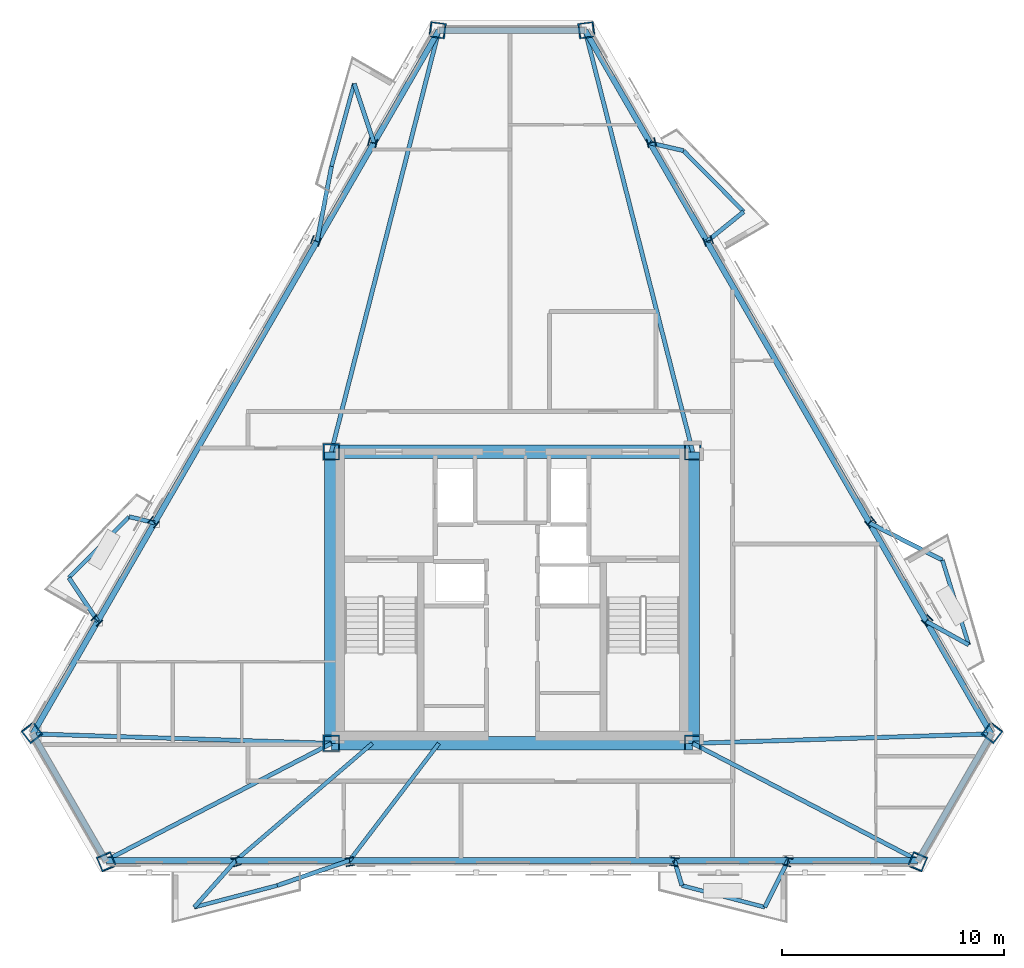
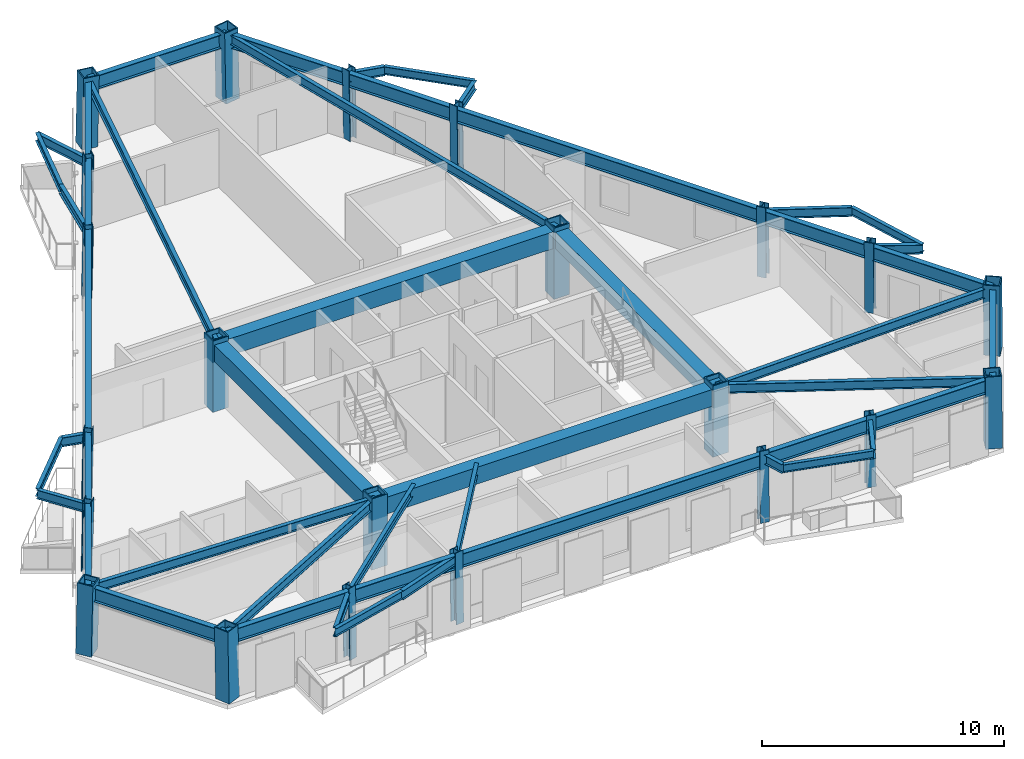
# One storey, part 1 of 8: 48 beams, 22 columns.
"""IFC4 building model written with IfcOpenShell, lengths in metres."""

from ifc_helpers import new_model, si_unit, direction, frame, origin, origin_2d, place, context, subcontext, project, spatial, rectangle, hollow_rectangle, i_section, extrude, material, material_profile, profile_set, type_object, element, save


model = new_model("IFC4")

# Units and contexts
model_context = context("Model", 3, precision=1e-05, world=origin(), true_north=direction((0.0, 1.0)))
body_context = subcontext(model_context, "Body", "Model", "MODEL_VIEW")
ifc_project = project(units=[si_unit("LENGTHUNIT", "METRE"), si_unit("AREAUNIT", "SQUARE_METRE"), si_unit("VOLUMEUNIT", "CUBIC_METRE"), si_unit("PLANEANGLEUNIT", "RADIAN"), si_unit("MASSUNIT", "GRAM", prefix="KILO")], contexts=[model_context])

# Site, building, storey
site_placement = place(None, origin())
site = spatial("IfcSite", under=ifc_project, at=site_placement, CompositionType="ELEMENT")
building_placement = place(site_placement, origin())
building = spatial("IfcBuilding", under=site, at=building_placement, Name="Oramaril Tower", CompositionType="ELEMENT")
storey_placement = place(building_placement, frame((0.0, 0.0, 216.300048828125)))
storey = spatial("IfcBuildingStorey", under=building, at=storey_placement, Name="L57", CompositionType="ELEMENT", Elevation=216.300048828125)

# Columns
ifc_material_1 = material(Name="Steel ASTM A572 Gr 50", Category="steel")
ifc_material_profile_1 = material_profile(ifc_material_1, hollow_rectangle(XDim=0.75, YDim=0.75, WallThickness=0.06005859375, at=origin_2d()), Name="BOX750X750X60")
ifc_profile_set_1 = profile_set([ifc_material_profile_1], Name="Steel ASTM A572 Gr 50")
column_type_1 = type_object("IfcColumnType", Name="CT-CC4", PredefinedType="COLUMN", material=ifc_profile_set_1)
for number, where, z_axis, x_axis, name in (
    (1, (29.35009765625, 11.0, 0.0), (0.0, 0.0, 1.0), (1.0, 0.0, 0.0), "L57 Core Column CC-1"),
    (2, (45.64990234375, 11.0, 0.0), (0.0, 0.0, 1.0), (1.0, 0.0, 0.0), "L57 Core Column CC-2"),
    (3, (45.64990234375, 24.14990234375, 0.0), (0.0, 0.0, 1.0), (1.0, 0.0, 0.0), "L57 Core Column CC-3"),
    (4, (29.35009765625, 24.14990234375, 0.0), (0.0, 0.0, 1.0), (1.0, 0.0, 0.0), "L57 Core Column CC-4"),
):
    element("IfcColumn", number, at=place(storey_placement, frame(where, z_axis=z_axis, x_axis=x_axis)), inside=storey, type_object=column_type_1, Name=name, PredefinedType="COLUMN", context=body_context, shape_type="SweptSolid", body=[
        extrude(hollow_rectangle(XDim=0.75, YDim=0.75, WallThickness=0.06005859375, at=origin_2d()), origin(), (0.0, 0.0, 1.0), 3.599853515625),
    ])
ifc_material_2 = material(Name="Steel ASTM A572 Gr 50", Category="steel")
ifc_material_profile_2 = material_profile(ifc_material_2, hollow_rectangle(XDim=0.699951171875, YDim=0.699951171875, WallThickness=0.054931640625, at=origin_2d()), Name="BOX700X700X55")
ifc_profile_set_2 = profile_set([ifc_material_profile_2], Name="Steel ASTM A572 Gr 50")
column_type_2 = type_object("IfcColumnType", Name="CT-TC4", PredefinedType="COLUMN", material=ifc_profile_set_2)
for number, where, z_axis, x_axis, name in (
    (5, (15.8427734375, 11.485107421875, 0.00439453125), (0.012234941565, -0.015905424035, 0.999798641573), (0.792623989105, 0.60971076085, 0.0), "L57 Tube Column TC-01"),
    (6, (19.210693359375, 5.651611328125, 0.00439453125), (-0.007680831578, 0.018488373355, 0.999799572353), (-0.923478211168, -0.383650874492, 0.0), "L57 Tube Column TC-02"),
    (7, (55.789306640625, 5.651611328125, 0.00439453125), (0.007680831578, 0.018488373355, 0.999799572353), (-0.923478211168, 0.383650874492, 0.0), "L57 Tube Column TC-03"),
    (8, (59.1572265625, 11.485107421875, 0.00439453125), (-0.012234941565, -0.015905424035, 0.999798641573), (0.792623989105, -0.60971076085, 0.0), "L57 Tube Column TC-04"),
    (9, (40.867919921875, 43.1630859375, 0.00439453125), (-0.019847814636, -0.002582934781, 0.999799676286), (0.129048812382, -0.991638242517, 0.0), "L57 Tube Column TC-05"),
    (10, (34.132080078125, 43.1630859375, 0.00439453125), (0.019847814636, -0.002582934781, 0.999799676286), (0.129048812382, 0.991638242517, 0.0), "L57 Tube Column TC-06"),
):
    element("IfcColumn", number, at=place(storey_placement, frame(where, z_axis=z_axis, x_axis=x_axis)), inside=storey, type_object=column_type_2, Name=name, PredefinedType="COLUMN", context=body_context, shape_type="SweptSolid", body=[
        extrude(hollow_rectangle(XDim=0.699951171875, YDim=0.699951171875, WallThickness=0.054931640625, at=origin_2d()), origin(), (0.0, 0.0, 1.0), 3.591796875),
    ])
ifc_material_3 = material(Name="Steel ASTM A572 Gr 50", Category="steel")
ifc_material_profile_3 = material_profile(ifc_material_3, i_section(OverallWidth=0.39892578125, OverallDepth=0.385986328125, WebThickness=0.02099609375, FlangeThickness=0.033203125, at=origin_2d()), Name="W14X176")
ifc_profile_set_3 = profile_set([ifc_material_profile_3], Name="Steel ASTM A572 Gr 50")
column_type_3 = type_object("IfcColumnType", Name="CT-TF4", PredefinedType="COLUMN", material=ifc_profile_set_3)
for number, where, z_axis, x_axis, name in (
    (11, (25.063232421875, 5.651611328125, 0.00439453125), (-0.00516595248, 0.018488672032, 0.999815723992), (-0.963110974003, -0.269104536854, 0.0), "L57 Tube Column TC-07"),
    (12, (30.184326171875, 5.651611328125, 0.00439453125), (-0.003058814159, 0.018488832247, 0.999824387949), (-0.986589285408, -0.163222492071, 0.0), "L57 Tube Column TC-08"),
    (13, (44.815673828125, 5.651611328125, 0.00439453125), (0.003058814159, 0.018488832247, 0.999824387949), (-0.986589285408, 0.163222492071, 0.0), "L57 Tube Column TC-09"),
    (14, (49.936767578125, 5.651611328125, 0.00439453125), (0.00516595248, 0.018488672032, 0.999815723992), (-0.963110974003, 0.269104536854, 0.0), "L57 Tube Column TC-10"),
    (15, (56.23095703125, 16.5537109375, 0.00439453125), (-0.013458645368, -0.01379851015, 0.999814215733), (0.715867927541, -0.698235712577, 0.0), "L57 Tube Column TC-11"),
    (16, (53.67041015625, 20.988525390625, 0.00439453125), (-0.014478387519, -0.011895388806, 0.999824422596), (0.634816777898, -0.772662706813, 0.0), "L57 Tube Column TC-12"),
    (17, (46.354736328125, 33.65966796875, 0.00439453125), (-0.01760515526, -0.006593436526, 0.999823276936), (0.350727164233, -0.936477685943, 0.0), "L57 Tube Column TC-13"),
    (18, (43.794189453125, 38.094482421875, 0.00439453125), (-0.018624614837, -0.004690140233, 0.999815546142), (0.244200745871, -0.969724700993, 0.0), "L57 Tube Column TC-14"),
    (19, (31.205810546875, 38.094482421875, 0.00439453125), (0.018624614837, -0.004690140233, 0.999815546142), (0.244200745871, 0.969724700993, 0.0), "L57 Tube Column TC-15"),
    (20, (28.645263671875, 33.65966796875, 0.00439453125), (0.01760515526, -0.006593436526, 0.999823276936), (0.350727164233, 0.936477685943, 0.0), "L57 Tube Column TC-16"),
    (21, (21.32958984375, 20.988525390625, 0.00439453125), (0.014478387519, -0.011895388806, 0.999824422596), (0.634816777898, 0.772662706813, 0.0), "L57 Tube Column TC-17"),
    (22, (18.76904296875, 16.5537109375, 0.00439453125), (0.013458645368, -0.01379851015, 0.999814215733), (0.715867927541, 0.698235712577, 0.0), "L57 Tube Column TC-18"),
):
    element("IfcColumn", number, at=place(storey_placement, frame(where, z_axis=z_axis, x_axis=x_axis)), inside=storey, type_object=column_type_3, Name=name, PredefinedType="COLUMN", context=body_context, shape_type="SweptSolid", body=[
        extrude(i_section(OverallWidth=0.39892578125, OverallDepth=0.385986328125, WebThickness=0.02099609375, FlangeThickness=0.033203125, at=origin_2d()), origin(), (0.0, 0.0, 1.0), 3.591796875),
    ])

# Beams
ifc_material_4 = material(Name="Steel ASTM A572 Gr 50", Category="steel")
ifc_material_profile_4 = material_profile(ifc_material_4, i_section(OverallWidth=0.19091796875, OverallDepth=0.45703125, WebThickness=0.009033203125, FlangeThickness=0.014404296875, at=origin_2d()), Name="W18X50")
ifc_profile_set_4 = profile_set([ifc_material_profile_4], Name="Steel ASTM A572 Gr 50")
beam_type_1 = type_object("IfcBeamType", Name="BT-BB1", PredefinedType="BEAM", material=ifc_profile_set_4)
beam_1_placement = place(storey_placement, frame((29.35009765625, 11.0, 3.1513671875), z_axis=(-0.999495133197, 0.03177229479, 0.0), x_axis=(-0.03177229479, -0.999495133197, 0.0)))
element("IfcBeam", 23, at=beam_1_placement, inside=storey, type_object=beam_type_1, Name="L57 Radial Primary Beam RB-01", PredefinedType="BEAM", context=body_context, shape_type="SweptSolid", body=[
    extrude(i_section(OverallWidth=0.19091796875, OverallDepth=0.45703125, WebThickness=0.009033203125, FlangeThickness=0.014404296875, at=origin_2d()), origin(), (0.0, 0.0, 1.0), 13.47021484375),
])
for number, where, z_axis, x_axis, name in (
    (24, (29.35009765625, 11.0, 3.1513671875), (-0.887390135498, -0.461019248427, 0.0), (0.461019248427, -0.887390135498, 0.0), "L57 Radial Primary Beam RB-02"),
    (25, (45.64990234375, 11.0, 3.1513671875), (0.887390135498, -0.461019248427, 0.0), (0.461019248427, 0.887390135498, 0.0), "L57 Radial Primary Beam RB-03"),
):
    element("IfcBeam", number, at=place(storey_placement, frame(where, z_axis=z_axis, x_axis=x_axis)), inside=storey, type_object=beam_type_1, Name=name, PredefinedType="BEAM", context=body_context, shape_type="SweptSolid", body=[
        extrude(i_section(OverallWidth=0.19091796875, OverallDepth=0.45703125, WebThickness=0.009033203125, FlangeThickness=0.014404296875, at=origin_2d()), origin(), (0.0, 0.0, 1.0), 11.457275390625),
    ])
beam_2_placement = place(storey_placement, frame((45.64990234375, 11.0, 3.1513671875), z_axis=(0.999495133197, 0.03177229479, 0.0), x_axis=(-0.03177229479, 0.999495133197, 0.0)))
element("IfcBeam", 26, at=beam_2_placement, inside=storey, type_object=beam_type_1, Name="L57 Radial Primary Beam RB-04", PredefinedType="BEAM", context=body_context, shape_type="SweptSolid", body=[
    extrude(i_section(OverallWidth=0.19091796875, OverallDepth=0.45703125, WebThickness=0.009033203125, FlangeThickness=0.014404296875, at=origin_2d()), origin(), (0.0, 0.0, 1.0), 13.47021484375),
])
for number, where, z_axis, x_axis, name in (
    (27, (45.64990234375, 24.14990234375, 3.1513671875), (-0.247441175592, 0.968902918058, 0.0), (-0.968902918058, -0.247441175592, 0.0), "L57 Radial Primary Beam RB-05"),
    (28, (29.35009765625, 24.14990234375, 3.1513671875), (0.247441175592, 0.968902918058, 0.0), (-0.968902918058, 0.247441175592, 0.0), "L57 Radial Primary Beam RB-06"),
):
    element("IfcBeam", number, at=place(storey_placement, frame(where, z_axis=z_axis, x_axis=x_axis)), inside=storey, type_object=beam_type_1, Name=name, PredefinedType="BEAM", context=body_context, shape_type="SweptSolid", body=[
        extrude(i_section(OverallWidth=0.19091796875, OverallDepth=0.45703125, WebThickness=0.009033203125, FlangeThickness=0.014404296875, at=origin_2d()), origin(), (0.0, 0.0, 1.0), 19.61376953125),
    ])
beam_3_placement = place(storey_placement, frame((25.044677734375, 5.718017578125, 3.1513671875), z_axis=(-0.664428308027, -0.747352007753, 0.0), x_axis=(0.747352007753, -0.664428308027, 0.0)))
element("IfcBeam", 29, at=beam_3_placement, inside=storey, type_object=beam_type_1, Name="L57 Balcony Column-Framed Cantilever 01.1", PredefinedType="BEAM", context=body_context, shape_type="SweptSolid", body=[
    extrude(i_section(OverallWidth=0.19091796875, OverallDepth=0.45703125, WebThickness=0.009033203125, FlangeThickness=0.014404296875, at=origin_2d()), origin(), (0.0, 0.0, 1.0), 2.820556640625),
])
beam_4_placement = place(storey_placement, frame((30.17333984375, 5.718017578125, 3.1513671875), z_axis=(-0.944996173463, -0.327081384582, 0.0), x_axis=(0.327081384582, -0.944996173463, 0.0)))
element("IfcBeam", 30, at=beam_4_placement, inside=storey, type_object=beam_type_1, Name="L57 Balcony Column-Framed Cantilever 01.2", PredefinedType="BEAM", context=body_context, shape_type="SweptSolid", body=[
    extrude(i_section(OverallWidth=0.19091796875, OverallDepth=0.45703125, WebThickness=0.009033203125, FlangeThickness=0.014404296875, at=origin_2d()), origin(), (0.0, 0.0, 1.0), 3.448486328125),
])
beam_5_placement = place(storey_placement, frame((44.82666015625, 5.718017578125, 3.1513671875), z_axis=(0.283727901735, -0.958904832492, 0.0), x_axis=(0.958904832492, 0.283727901735, 0.0)))
element("IfcBeam", 31, at=beam_5_placement, inside=storey, type_object=beam_type_1, Name="L57 Balcony Column-Framed Cantilever 02.1", PredefinedType="BEAM", context=body_context, shape_type="SweptSolid", body=[
    extrude(i_section(OverallWidth=0.19091796875, OverallDepth=0.45703125, WebThickness=0.009033203125, FlangeThickness=0.014404296875, at=origin_2d()), origin(), (0.0, 0.0, 1.0), 1.17626953125),
])
beam_6_placement = place(storey_placement, frame((49.955322265625, 5.718017578125, 3.1513671875), z_axis=(-0.446218267562, -0.894924163096, 0.0), x_axis=(0.894924163096, -0.446218267562, 0.0)))
element("IfcBeam", 32, at=beam_6_placement, inside=storey, type_object=beam_type_1, Name="L57 Balcony Column-Framed Cantilever 02.2", PredefinedType="BEAM", context=body_context, shape_type="SweptSolid", body=[
    extrude(i_section(OverallWidth=0.19091796875, OverallDepth=0.45703125, WebThickness=0.009033203125, FlangeThickness=0.014404296875, at=origin_2d()), origin(), (0.0, 0.0, 1.0), 2.35546875),
])
beam_7_placement = place(storey_placement, frame((56.1826171875, 16.504150390625, 3.1513671875), z_axis=(0.875035048274, -0.484059566883, 0.0), x_axis=(0.484059566883, 0.875035048274, 0.0)))
element("IfcBeam", 33, at=beam_7_placement, inside=storey, type_object=beam_type_1, Name="L57 Balcony Column-Framed Cantilever 03.1", PredefinedType="BEAM", context=body_context, shape_type="SweptSolid", body=[
    extrude(i_section(OverallWidth=0.19091796875, OverallDepth=0.45703125, WebThickness=0.009033203125, FlangeThickness=0.014404296875, at=origin_2d()), origin(), (0.0, 0.0, 1.0), 2.1875),
])
beam_8_placement = place(storey_placement, frame((53.618408203125, 20.94580078125, 3.1513671875), z_axis=(0.890204602537, -0.455560935136, 0.0), x_axis=(0.455560935136, 0.890204602537, 0.0)))
element("IfcBeam", 34, at=beam_8_placement, inside=storey, type_object=beam_type_1, Name="L57 Balcony Column-Framed Cantilever 03.2", PredefinedType="BEAM", context=body_context, shape_type="SweptSolid", body=[
    extrude(i_section(OverallWidth=0.19091796875, OverallDepth=0.45703125, WebThickness=0.009033203125, FlangeThickness=0.014404296875, at=origin_2d()), origin(), (0.0, 0.0, 1.0), 3.699951171875),
])
beam_9_placement = place(storey_placement, frame((46.29150390625, 33.635986328125, 3.1513671875), z_axis=(0.777228888249, 0.629217971193, 0.0), x_axis=(-0.629217971193, 0.777228888249, 0.0)))
element("IfcBeam", 35, at=beam_9_placement, inside=storey, type_object=beam_type_1, Name="L57 Balcony Column-Framed Cantilever 04.1", PredefinedType="BEAM", context=body_context, shape_type="SweptSolid", body=[
    extrude(i_section(OverallWidth=0.19091796875, OverallDepth=0.45703125, WebThickness=0.009033203125, FlangeThickness=0.014404296875, at=origin_2d()), origin(), (0.0, 0.0, 1.0), 2.134521484375),
])
beam_10_placement = place(storey_placement, frame((43.727294921875, 38.07763671875, 3.1513671875), z_axis=(0.97446586732, -0.224535684085, 0.0), x_axis=(0.224535684085, 0.97446586732, 0.0)))
element("IfcBeam", 36, at=beam_10_placement, inside=storey, type_object=beam_type_1, Name="L57 Balcony Column-Framed Cantilever 04.2", PredefinedType="BEAM", context=body_context, shape_type="SweptSolid", body=[
    extrude(i_section(OverallWidth=0.19091796875, OverallDepth=0.45703125, WebThickness=0.009033203125, FlangeThickness=0.014404296875, at=origin_2d()), origin(), (0.0, 0.0, 1.0), 1.541748046875),
])
beam_11_placement = place(storey_placement, frame((31.272705078125, 38.07763671875, 3.1513671875), z_axis=(-0.315059037956, 0.949072074503, 0.0), x_axis=(-0.949072074503, -0.315059037956, 0.0)))
element("IfcBeam", 37, at=beam_11_placement, inside=storey, type_object=beam_type_1, Name="L57 Balcony Column-Framed Cantilever 05.1", PredefinedType="BEAM", context=body_context, shape_type="SweptSolid", body=[
    extrude(i_section(OverallWidth=0.19091796875, OverallDepth=0.45703125, WebThickness=0.009033203125, FlangeThickness=0.014404296875, at=origin_2d()), origin(), (0.0, 0.0, 1.0), 2.820556640625),
])
beam_12_placement = place(storey_placement, frame((28.70849609375, 33.635986328125, 3.1513671875), z_axis=(0.189167734369, 0.981944788811, 0.0), x_axis=(-0.981944788811, 0.189167734369, 0.0)))
element("IfcBeam", 38, at=beam_12_placement, inside=storey, type_object=beam_type_1, Name="L57 Balcony Column-Framed Cantilever 05.2", PredefinedType="BEAM", context=body_context, shape_type="SweptSolid", body=[
    extrude(i_section(OverallWidth=0.19091796875, OverallDepth=0.45703125, WebThickness=0.009033203125, FlangeThickness=0.014404296875, at=origin_2d()), origin(), (0.0, 0.0, 1.0), 3.448486328125),
])
beam_13_placement = place(storey_placement, frame((21.381591796875, 20.94580078125, 3.1513671875), z_axis=(-0.97226472398, 0.23388310436, 0.0), x_axis=(-0.23388310436, -0.97226472398, 0.0)))
element("IfcBeam", 39, at=beam_13_placement, inside=storey, type_object=beam_type_1, Name="L57 Balcony Column-Framed Cantilever 06.1", PredefinedType="BEAM", context=body_context, shape_type="SweptSolid", body=[
    extrude(i_section(OverallWidth=0.19091796875, OverallDepth=0.45703125, WebThickness=0.009033203125, FlangeThickness=0.014404296875, at=origin_2d()), origin(), (0.0, 0.0, 1.0), 1.176513671875),
])
beam_14_placement = place(storey_placement, frame((18.8173828125, 16.504150390625, 3.1513671875), z_axis=(-0.55197076739, 0.833863461213, 0.0), x_axis=(-0.833863461213, -0.55197076739, 0.0)))
element("IfcBeam", 40, at=beam_14_placement, inside=storey, type_object=beam_type_1, Name="L57 Balcony Column-Framed Cantilever 06.2", PredefinedType="BEAM", context=body_context, shape_type="SweptSolid", body=[
    extrude(i_section(OverallWidth=0.19091796875, OverallDepth=0.45703125, WebThickness=0.009033203125, FlangeThickness=0.014404296875, at=origin_2d()), origin(), (0.0, 0.0, 1.0), 2.355712890625),
])
ifc_material_5 = material(Name="Concrete C50/60", Category="concrete")
ifc_material_profile_5 = material_profile(ifc_material_5, rectangle(XDim=0.60009765625, YDim=0.85009765625, at=origin_2d()), Name="CB600X850")
ifc_profile_set_5 = profile_set([ifc_material_profile_5], Name="Concrete C50/60")
beam_type_2 = type_object("IfcBeamType", Name="BT-CB2", PredefinedType="BEAM", material=ifc_profile_set_5)
beam_15_placement = place(storey_placement, frame((29.35009765625, 11.0, 2.954833984375), z_axis=(1.0, 0.0, 0.0), x_axis=(0.0, 1.0, 0.0)))
element("IfcBeam", 41, at=beam_15_placement, inside=storey, type_object=beam_type_2, Name="L57 Core Header Beam CB-1", PredefinedType="BEAM", context=body_context, shape_type="SweptSolid", body=[
    extrude(rectangle(XDim=0.60009765625, YDim=0.85009765625, at=origin_2d()), origin(), (0.0, 0.0, 1.0), 16.2998046875),
])
beam_16_placement = place(storey_placement, frame((45.64990234375, 11.0, 2.954833984375), z_axis=(0.0, 1.0, 0.0), x_axis=(-1.0, 0.0, 0.0)))
element("IfcBeam", 42, at=beam_16_placement, inside=storey, type_object=beam_type_2, Name="L57 Core Header Beam CB-2", PredefinedType="BEAM", context=body_context, shape_type="SweptSolid", body=[
    extrude(rectangle(XDim=0.60009765625, YDim=0.85009765625, at=origin_2d()), origin(), (0.0, 0.0, 1.0), 13.14990234375),
])
beam_17_placement = place(storey_placement, frame((45.64990234375, 24.14990234375, 2.954833984375), z_axis=(-1.0, 0.0, 0.0), x_axis=(0.0, -1.0, 0.0)))
element("IfcBeam", 43, at=beam_17_placement, inside=storey, type_object=beam_type_2, Name="L57 Core Header Beam CB-3", PredefinedType="BEAM", context=body_context, shape_type="SweptSolid", body=[
    extrude(rectangle(XDim=0.60009765625, YDim=0.85009765625, at=origin_2d()), origin(), (0.0, 0.0, 1.0), 16.2998046875),
])
beam_18_placement = place(storey_placement, frame((29.35009765625, 24.14990234375, 2.954833984375), z_axis=(0.0, -1.0, 0.0), x_axis=(1.0, 0.0, 0.0)))
element("IfcBeam", 44, at=beam_18_placement, inside=storey, type_object=beam_type_2, Name="L57 Core Header Beam CB-4", PredefinedType="BEAM", context=body_context, shape_type="SweptSolid", body=[
    extrude(rectangle(XDim=0.60009765625, YDim=0.85009765625, at=origin_2d()), origin(), (0.0, 0.0, 1.0), 13.14990234375),
])
ifc_material_6 = material(Name="Steel ASTM A572 Gr 50", Category="steel")
ifc_material_profile_6 = material_profile(ifc_material_6, i_section(OverallWidth=0.177978515625, OverallDepth=0.404052734375, WebThickness=0.007568359375, FlangeThickness=0.010986328125, at=origin_2d()), Name="W16X36")
ifc_profile_set_6 = profile_set([ifc_material_profile_6], Name="Steel ASTM A572 Gr 50")
beam_type_3 = type_object("IfcBeamType", Name="BT-SB1", PredefinedType="BEAM", material=ifc_profile_set_6)
beam_19_placement = place(storey_placement, frame((31.199951171875, 11.0, 3.177978515625), z_axis=(-0.758888903408, -0.651220110473, 0.0), x_axis=(0.651220110473, -0.758888903408, 0.0)))
element("IfcBeam", 45, at=beam_19_placement, inside=storey, type_object=beam_type_3, Name="L57 Secondary Floor Beam SB-01", PredefinedType="BEAM", context=body_context, shape_type="SweptSolid", body=[
    extrude(i_section(OverallWidth=0.177978515625, OverallDepth=0.404052734375, WebThickness=0.007568359375, FlangeThickness=0.010986328125, at=origin_2d()), origin(), (0.0, 0.0, 1.0), 8.11083984375),
])
beam_20_placement = place(storey_placement, frame((34.199951171875, 11.0, 3.177978515625), z_axis=(-0.606256940806, -0.795268836133, 0.0), x_axis=(0.795268836133, -0.606256940806, 0.0)))
element("IfcBeam", 46, at=beam_20_placement, inside=storey, type_object=beam_type_3, Name="L57 Secondary Floor Beam SB-02", PredefinedType="BEAM", context=body_context, shape_type="SweptSolid", body=[
    extrude(i_section(OverallWidth=0.177978515625, OverallDepth=0.404052734375, WebThickness=0.007568359375, FlangeThickness=0.010986328125, at=origin_2d()), origin(), (0.0, 0.0, 1.0), 6.641845703125),
])
for number, where, z_axis, x_axis, name in (
    (47, (23.170654296875, 3.610107421875, 3.177978515625), (0.967407922874, 0.253223045479, 0.0), (-0.253223045479, 0.967407922874, 0.0), "L57 Balcony Edge Tie Beam 01"),
    (48, (45.160400390625, 4.590087890625, 3.177978515625), (0.967407922874, -0.253223045479, 0.0), (0.253223045479, 0.967407922874, 0.0), "L57 Balcony Edge Tie Beam 02"),
):
    element("IfcBeam", number, at=place(storey_placement, frame(where, z_axis=z_axis, x_axis=x_axis)), inside=storey, type_object=beam_type_3, Name=name, PredefinedType="BEAM", context=body_context, shape_type="SweptSolid", body=[
        extrude(i_section(OverallWidth=0.177978515625, OverallDepth=0.404052734375, WebThickness=0.007568359375, FlangeThickness=0.010986328125, at=origin_2d()), origin(), (0.0, 0.0, 1.0), 3.8701171875),
    ])
beam_21_placement = place(storey_placement, frame((58.0966796875, 15.4453125, 3.177978515625), z_axis=(-0.29654146524, 0.955019978531, 0.0), x_axis=(-0.955019978531, -0.29654146524, 0.0)))
element("IfcBeam", 49, at=beam_21_placement, inside=storey, type_object=beam_type_3, Name="L57 Balcony Edge Tie Beam 03", PredefinedType="BEAM", context=body_context, shape_type="SweptSolid", body=[
    extrude(i_section(OverallWidth=0.177978515625, OverallDepth=0.404052734375, WebThickness=0.007568359375, FlangeThickness=0.010986328125, at=origin_2d()), origin(), (0.0, 0.0, 1.0), 3.99462890625),
])
for number, where, z_axis, x_axis, name in (
    (50, (47.950439453125, 34.97900390625, 3.177978515625), (-0.702994511648, 0.71119527318, 0.0), (-0.71119527318, -0.702994511648, 0.0), "L57 Balcony Edge Tie Beam 04"),
    (51, (30.384033203125, 40.754638671875, 3.177978515625), (-0.264382243015, -0.964417974521, 0.0), (0.964417974521, -0.264382243015, 0.0), "L57 Balcony Edge Tie Beam 05"),
    (52, (20.23779296875, 21.220947265625, 3.177978515625), (-0.702994511648, -0.71119527318, 0.0), (0.71119527318, -0.702994511648, 0.0), "L57 Balcony Edge Tie Beam 06"),
):
    element("IfcBeam", number, at=place(storey_placement, frame(where, z_axis=z_axis, x_axis=x_axis)), inside=storey, type_object=beam_type_3, Name=name, PredefinedType="BEAM", context=body_context, shape_type="SweptSolid", body=[
        extrude(i_section(OverallWidth=0.177978515625, OverallDepth=0.404052734375, WebThickness=0.007568359375, FlangeThickness=0.010986328125, at=origin_2d()), origin(), (0.0, 0.0, 1.0), 3.8701171875),
    ])
ifc_material_7 = material(Name="Steel ASTM A572 Gr 50", Category="steel")
ifc_material_profile_7 = material_profile(ifc_material_7, i_section(OverallWidth=0.257080078125, OverallDepth=0.693115234375, WebThickness=0.014404296875, FlangeThickness=0.023681640625, at=origin_2d()), Name="W27X114")
ifc_profile_set_7 = profile_set([ifc_material_profile_7], Name="Steel ASTM A572 Gr 50")
beam_type_4 = type_object("IfcBeamType", Name="BT-SP4", PredefinedType="SPANDREL", material=ifc_profile_set_7)
beam_22_placement = place(storey_placement, frame((15.88671875, 11.427978515625, 3.033447265625), z_axis=(0.499970336533, -0.866042529317, 0.0), x_axis=(0.866042529317, 0.499970336533, 0.0)))
element("IfcBeam", 53, at=beam_22_placement, inside=storey, type_object=beam_type_4, Name="L57 Perimeter Spandrel 01", PredefinedType="SPANDREL", context=body_context, shape_type="SweptSolid", body=[
    extrude(i_section(OverallWidth=0.257080078125, OverallDepth=0.693115234375, WebThickness=0.014404296875, FlangeThickness=0.023681640625, at=origin_2d()), origin(), (0.0, 0.0, 1.0), 6.59326171875),
])
beam_23_placement = place(storey_placement, frame((19.18310546875, 5.718017578125, 3.033447265625), z_axis=(1.0, 0.0, 0.0), x_axis=(0.0, 1.0, 0.0)))
element("IfcBeam", 54, at=beam_23_placement, inside=storey, type_object=beam_type_4, Name="L57 Perimeter Spandrel 02", PredefinedType="SPANDREL", context=body_context, shape_type="SweptSolid", body=[
    extrude(i_section(OverallWidth=0.257080078125, OverallDepth=0.693115234375, WebThickness=0.014404296875, FlangeThickness=0.023681640625, at=origin_2d()), origin(), (0.0, 0.0, 1.0), 5.861572265625),
])
beam_24_placement = place(storey_placement, frame((25.044677734375, 5.718017578125, 3.033447265625), z_axis=(1.0, 0.0, 0.0), x_axis=(0.0, 1.0, 0.0)))
element("IfcBeam", 55, at=beam_24_placement, inside=storey, type_object=beam_type_4, Name="L57 Perimeter Spandrel 03", PredefinedType="SPANDREL", context=body_context, shape_type="SweptSolid", body=[
    extrude(i_section(OverallWidth=0.257080078125, OverallDepth=0.693115234375, WebThickness=0.014404296875, FlangeThickness=0.023681640625, at=origin_2d()), origin(), (0.0, 0.0, 1.0), 5.128662109375),
])
beam_25_placement = place(storey_placement, frame((30.17333984375, 5.718017578125, 3.033447265625), z_axis=(1.0, 0.0, 0.0), x_axis=(0.0, 1.0, 0.0)))
element("IfcBeam", 56, at=beam_25_placement, inside=storey, type_object=beam_type_4, Name="L57 Perimeter Spandrel 04", PredefinedType="SPANDREL", context=body_context, shape_type="SweptSolid", body=[
    extrude(i_section(OverallWidth=0.257080078125, OverallDepth=0.693115234375, WebThickness=0.014404296875, FlangeThickness=0.023681640625, at=origin_2d()), origin(), (0.0, 0.0, 1.0), 14.6533203125),
])
beam_26_placement = place(storey_placement, frame((44.82666015625, 5.718017578125, 3.033447265625), z_axis=(1.0, 0.0, 0.0), x_axis=(0.0, 1.0, 0.0)))
element("IfcBeam", 57, at=beam_26_placement, inside=storey, type_object=beam_type_4, Name="L57 Perimeter Spandrel 05", PredefinedType="SPANDREL", context=body_context, shape_type="SweptSolid", body=[
    extrude(i_section(OverallWidth=0.257080078125, OverallDepth=0.693115234375, WebThickness=0.014404296875, FlangeThickness=0.023681640625, at=origin_2d()), origin(), (0.0, 0.0, 1.0), 5.128662109375),
])
beam_27_placement = place(storey_placement, frame((49.955322265625, 5.718017578125, 3.033447265625), z_axis=(1.0, 0.0, 0.0), x_axis=(0.0, 1.0, 0.0)))
element("IfcBeam", 58, at=beam_27_placement, inside=storey, type_object=beam_type_4, Name="L57 Perimeter Spandrel 06", PredefinedType="SPANDREL", context=body_context, shape_type="SweptSolid", body=[
    extrude(i_section(OverallWidth=0.257080078125, OverallDepth=0.693115234375, WebThickness=0.014404296875, FlangeThickness=0.023681640625, at=origin_2d()), origin(), (0.0, 0.0, 1.0), 5.861572265625),
])
beam_28_placement = place(storey_placement, frame((55.81689453125, 5.718017578125, 3.033447265625), z_axis=(0.499970336533, 0.866042529317, 0.0), x_axis=(-0.866042529317, 0.499970336533, 0.0)))
element("IfcBeam", 59, at=beam_28_placement, inside=storey, type_object=beam_type_4, Name="L57 Perimeter Spandrel 07", PredefinedType="SPANDREL", context=body_context, shape_type="SweptSolid", body=[
    extrude(i_section(OverallWidth=0.257080078125, OverallDepth=0.693115234375, WebThickness=0.014404296875, FlangeThickness=0.023681640625, at=origin_2d()), origin(), (0.0, 0.0, 1.0), 6.59326171875),
])
beam_29_placement = place(storey_placement, frame((59.11328125, 11.427978515625, 3.033447265625), z_axis=(-0.499991665488, 0.866030215664, 0.0), x_axis=(-0.866030215664, -0.499991665488, 0.0)))
element("IfcBeam", 60, at=beam_29_placement, inside=storey, type_object=beam_type_4, Name="L57 Perimeter Spandrel 08", PredefinedType="SPANDREL", context=body_context, shape_type="SweptSolid", body=[
    extrude(i_section(OverallWidth=0.257080078125, OverallDepth=0.693115234375, WebThickness=0.014404296875, FlangeThickness=0.023681640625, at=origin_2d()), origin(), (0.0, 0.0, 1.0), 5.861328125),
])
beam_30_placement = place(storey_placement, frame((56.1826171875, 16.504150390625, 3.033447265625), z_axis=(-0.499973814076, 0.866040521707, 0.0), x_axis=(-0.866040521707, -0.499973814076, 0.0)))
element("IfcBeam", 61, at=beam_30_placement, inside=storey, type_object=beam_type_4, Name="L57 Perimeter Spandrel 09", PredefinedType="SPANDREL", context=body_context, shape_type="SweptSolid", body=[
    extrude(i_section(OverallWidth=0.257080078125, OverallDepth=0.693115234375, WebThickness=0.014404296875, FlangeThickness=0.023681640625, at=origin_2d()), origin(), (0.0, 0.0, 1.0), 5.128662109375),
])
beam_31_placement = place(storey_placement, frame((53.618408203125, 20.94580078125, 3.033447265625), z_axis=(-0.500011375517, 0.866018836027, 0.0), x_axis=(-0.866018836027, -0.500011375517, 0.0)))
element("IfcBeam", 62, at=beam_31_placement, inside=storey, type_object=beam_type_4, Name="L57 Perimeter Spandrel 10", PredefinedType="SPANDREL", context=body_context, shape_type="SweptSolid", body=[
    extrude(i_section(OverallWidth=0.257080078125, OverallDepth=0.693115234375, WebThickness=0.014404296875, FlangeThickness=0.023681640625, at=origin_2d()), origin(), (0.0, 0.0, 1.0), 14.653564453125),
])
beam_32_placement = place(storey_placement, frame((46.29150390625, 33.635986328125, 3.033447265625), z_axis=(-0.499973814076, 0.866040521707, 0.0), x_axis=(-0.866040521707, -0.499973814076, 0.0)))
element("IfcBeam", 63, at=beam_32_placement, inside=storey, type_object=beam_type_4, Name="L57 Perimeter Spandrel 11", PredefinedType="SPANDREL", context=body_context, shape_type="SweptSolid", body=[
    extrude(i_section(OverallWidth=0.257080078125, OverallDepth=0.693115234375, WebThickness=0.014404296875, FlangeThickness=0.023681640625, at=origin_2d()), origin(), (0.0, 0.0, 1.0), 5.128662109375),
])
beam_33_placement = place(storey_placement, frame((43.727294921875, 38.07763671875, 3.033447265625), z_axis=(-0.499991665488, 0.866030215664, 0.0), x_axis=(-0.866030215664, -0.499991665488, 0.0)))
element("IfcBeam", 64, at=beam_33_placement, inside=storey, type_object=beam_type_4, Name="L57 Perimeter Spandrel 12", PredefinedType="SPANDREL", context=body_context, shape_type="SweptSolid", body=[
    extrude(i_section(OverallWidth=0.257080078125, OverallDepth=0.693115234375, WebThickness=0.014404296875, FlangeThickness=0.023681640625, at=origin_2d()), origin(), (0.0, 0.0, 1.0), 5.861328125),
])
beam_34_placement = place(storey_placement, frame((40.796630859375, 43.15380859375, 3.033447265625), z_axis=(-1.0, 0.0, 0.0), x_axis=(0.0, -1.0, 0.0)))
element("IfcBeam", 65, at=beam_34_placement, inside=storey, type_object=beam_type_4, Name="L57 Perimeter Spandrel 13", PredefinedType="SPANDREL", context=body_context, shape_type="SweptSolid", body=[
    extrude(i_section(OverallWidth=0.257080078125, OverallDepth=0.693115234375, WebThickness=0.014404296875, FlangeThickness=0.023681640625, at=origin_2d()), origin(), (0.0, 0.0, 1.0), 6.59326171875),
])
beam_35_placement = place(storey_placement, frame((34.203369140625, 43.15380859375, 3.033447265625), z_axis=(-0.499991665488, -0.866030215664, 0.0), x_axis=(0.866030215664, -0.499991665488, 0.0)))
element("IfcBeam", 66, at=beam_35_placement, inside=storey, type_object=beam_type_4, Name="L57 Perimeter Spandrel 14", PredefinedType="SPANDREL", context=body_context, shape_type="SweptSolid", body=[
    extrude(i_section(OverallWidth=0.257080078125, OverallDepth=0.693115234375, WebThickness=0.014404296875, FlangeThickness=0.023681640625, at=origin_2d()), origin(), (0.0, 0.0, 1.0), 5.861328125),
])
beam_36_placement = place(storey_placement, frame((31.272705078125, 38.07763671875, 3.033447265625), z_axis=(-0.499973814076, -0.866040521707, 0.0), x_axis=(0.866040521707, -0.499973814076, 0.0)))
element("IfcBeam", 67, at=beam_36_placement, inside=storey, type_object=beam_type_4, Name="L57 Perimeter Spandrel 15", PredefinedType="SPANDREL", context=body_context, shape_type="SweptSolid", body=[
    extrude(i_section(OverallWidth=0.257080078125, OverallDepth=0.693115234375, WebThickness=0.014404296875, FlangeThickness=0.023681640625, at=origin_2d()), origin(), (0.0, 0.0, 1.0), 5.128662109375),
])
beam_37_placement = place(storey_placement, frame((28.70849609375, 33.635986328125, 3.033447265625), z_axis=(-0.500011375517, -0.866018836027, 0.0), x_axis=(0.866018836027, -0.500011375517, 0.0)))
element("IfcBeam", 68, at=beam_37_placement, inside=storey, type_object=beam_type_4, Name="L57 Perimeter Spandrel 16", PredefinedType="SPANDREL", context=body_context, shape_type="SweptSolid", body=[
    extrude(i_section(OverallWidth=0.257080078125, OverallDepth=0.693115234375, WebThickness=0.014404296875, FlangeThickness=0.023681640625, at=origin_2d()), origin(), (0.0, 0.0, 1.0), 14.653564453125),
])
beam_38_placement = place(storey_placement, frame((21.381591796875, 20.94580078125, 3.033447265625), z_axis=(-0.499973814076, -0.866040521707, 0.0), x_axis=(0.866040521707, -0.499973814076, 0.0)))
element("IfcBeam", 69, at=beam_38_placement, inside=storey, type_object=beam_type_4, Name="L57 Perimeter Spandrel 17", PredefinedType="SPANDREL", context=body_context, shape_type="SweptSolid", body=[
    extrude(i_section(OverallWidth=0.257080078125, OverallDepth=0.693115234375, WebThickness=0.014404296875, FlangeThickness=0.023681640625, at=origin_2d()), origin(), (0.0, 0.0, 1.0), 5.128662109375),
])
beam_39_placement = place(storey_placement, frame((18.8173828125, 16.504150390625, 3.033447265625), z_axis=(-0.499991665488, -0.866030215664, 0.0), x_axis=(0.866030215664, -0.499991665488, 0.0)))
element("IfcBeam", 70, at=beam_39_placement, inside=storey, type_object=beam_type_4, Name="L57 Perimeter Spandrel 18", PredefinedType="SPANDREL", context=body_context, shape_type="SweptSolid", body=[
    extrude(i_section(OverallWidth=0.257080078125, OverallDepth=0.693115234375, WebThickness=0.014404296875, FlangeThickness=0.023681640625, at=origin_2d()), origin(), (0.0, 0.0, 1.0), 5.861328125),
])

save(model, "model.ifc")
